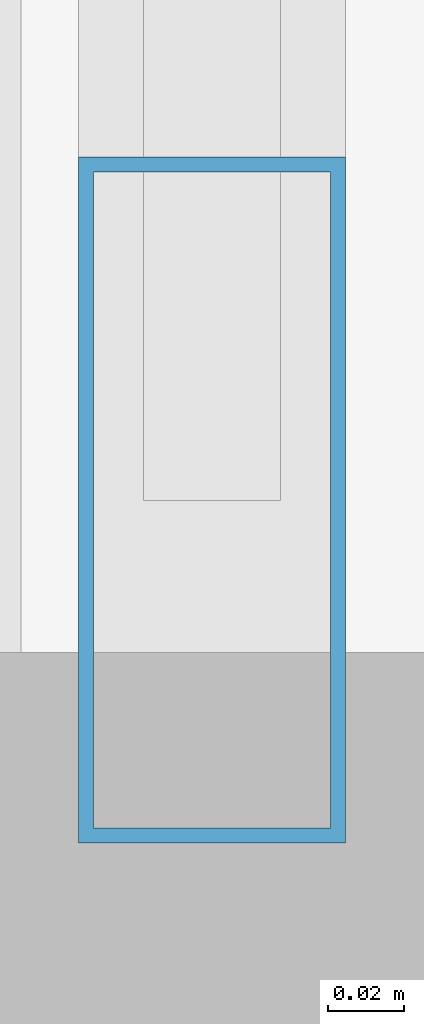
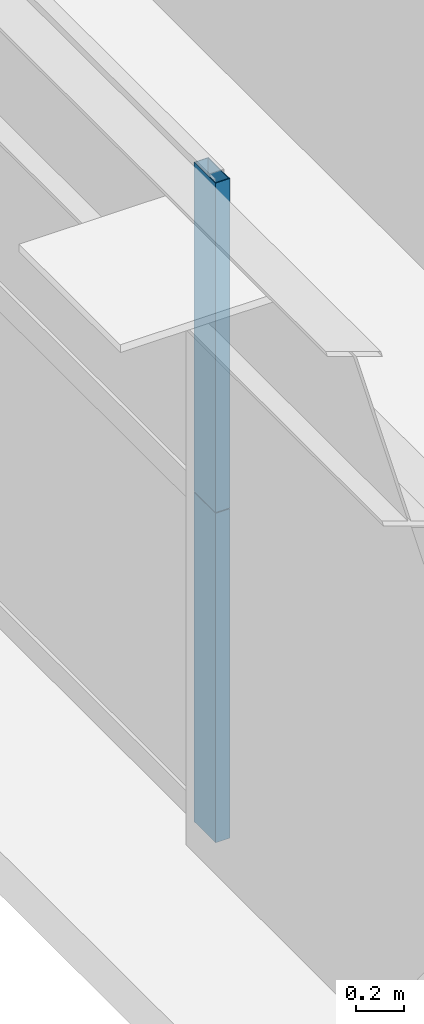
# One storey, part 6 of 45: 2 members, 1 element without a shape of its own.
"""IFC4 building model written with IfcOpenShell, lengths in metres."""

import ifcopenshell
import ifcopenshell.guid

model = None  # the IFC model being written
_history = None  # IfcOwnerHistory: only IFC2X3 demands one
_inside = {}  # id of a spatial element -> (the spatial element, [elements in it])
_under = {}  # id of a project, library or spatial element -> (it, [spatial elements below it])
_declared = {}  # id of a project -> (the project, [libraries it declares])
_typed = {}  # id of a type object -> (the type object, [elements of that type])
_made_of = {}  # id of a material, layer set ... -> (it, [elements and type objects made of it])


def new_model(schema):
    """Start an empty IFC model of exactly this schema.

    Asked for "IFC4X3", IfcOpenShell would pick the latest addendum, in which some entities
    have other attributes; the version numbers below select the first issue.
    IFC2X3 requires an IfcOwnerHistory on every rooted entity: one is made here for all.
    """
    global model, _history
    if schema == "IFC4X3":
        model = ifcopenshell.file(schema_version=(4, 3, 0, 0))
    else:
        model = ifcopenshell.file(schema=schema)
    _inside.clear()
    _under.clear()
    _declared.clear()
    _typed.clear()
    _made_of.clear()
    _history = None
    if model.schema == "IFC2X3":
        org = make("IfcOrganization", Name="unknown")
        user = make(
            "IfcPersonAndOrganization",
            ThePerson=make("IfcPerson", FamilyName="unknown"),
            TheOrganization=org,
        )
        app = make(
            "IfcApplication",
            ApplicationDeveloper=org,
            Version="unknown",
            ApplicationFullName="unknown",
            ApplicationIdentifier="unknown",
        )
        _history = make(
            "IfcOwnerHistory",
            OwningUser=user,
            OwningApplication=app,
            ChangeAction="ADDED",
            CreationDate=0,
        )
    return model


def make(cls, **values):
    """One entity of the class cls with the attributes given. An attribute that is None is left unset."""
    return model.create_entity(
        cls, **{name: value for name, value in values.items() if value is not None}
    )


def rooted(cls, **values):
    """An entity with a GlobalId (a new one), such as an element, a storey or a relation."""
    return make(cls, GlobalId=ifcopenshell.guid.new(), OwnerHistory=_history, **values)


def si_unit(unit_type, name, prefix=None):
    """IfcSIUnit, for example si_unit("LENGTHUNIT", "METRE", prefix="MILLI")."""
    return make("IfcSIUnit", UnitType=unit_type, Prefix=prefix, Name=name)


def assignment(units):
    """IfcUnitAssignment: the units of a project."""
    return None if units is None else make("IfcUnitAssignment", Units=units)


def point(xyz):
    """IfcCartesianPoint."""
    return None if xyz is None else make("IfcCartesianPoint", Coordinates=xyz)


def direction(xyz):
    """IfcDirection."""
    return None if xyz is None else make("IfcDirection", DirectionRatios=xyz)


def frame(location, z_axis=None, x_axis=None):
    """IfcAxis2Placement3D, a coordinate frame: its origin and axes. An axis left out is left unset."""
    return make(
        "IfcAxis2Placement3D",
        Location=point(location),
        Axis=direction(z_axis),
        RefDirection=direction(x_axis),
    )


def frame_2d(location, x_axis=None):
    """IfcAxis2Placement2D, a coordinate frame in the plane: its origin and x axis."""
    return make(
        "IfcAxis2Placement2D", Location=point(location), RefDirection=direction(x_axis)
    )


def origin():
    """The frame at (0, 0, 0) with its axes left unset."""
    return frame((0.0, 0.0, 0.0))


def origin_2d():
    """The frame at (0, 0) in the plane with its x axis left unset."""
    return frame_2d((0.0, 0.0))


def place(relative_to, where):
    """IfcLocalPlacement: puts the frame where relative to a parent placement (None: the world)."""
    return make(
        "IfcLocalPlacement", PlacementRelTo=relative_to, RelativePlacement=where
    )


def context(
    kind, dimensions, precision=None, world=None, true_north=None, identifier=None
):
    """IfcGeometricRepresentationContext, for example the 3D "Model" context."""
    return make(
        "IfcGeometricRepresentationContext",
        ContextIdentifier=identifier,
        ContextType=kind,
        CoordinateSpaceDimension=dimensions,
        Precision=precision,
        WorldCoordinateSystem=world,
        TrueNorth=true_north,
    )


def subcontext(parent, identifier, kind, view, scale=None):
    """IfcGeometricRepresentationSubContext, for example "Body" below "Model"."""
    return make(
        "IfcGeometricRepresentationSubContext",
        ContextIdentifier=identifier,
        ContextType=kind,
        ParentContext=parent,
        TargetScale=scale,
        TargetView=view,
    )


def project(units=None, contexts=None):
    """IfcProject with its units and contexts."""
    return rooted(
        "IfcProject",
        Name="project",
        RepresentationContexts=contexts,
        UnitsInContext=assignment(units),
    )


def spatial(cls, under=None, at=None, **own):
    """A site, building, storey or space (cls), placed at a placement, below another one or the project."""
    s = rooted(cls, ObjectPlacement=at, **own)
    if under is not None:
        _under.setdefault(under.id(), (under, []))[1].append(s)
    return s


def profile(cls, at=None, kind="AREA", **sizes):
    """A parametric profile (cls). Its sizes go by their IFC names, for example OverallWidth=200.0."""
    return make(cls, ProfileType=kind, Position=at, **sizes)


def hollow_rectangle(**sizes):
    """IfcRectangleHollowProfileDef."""
    return profile("IfcRectangleHollowProfileDef", **sizes)


def extrude(swept, where, along, depth):
    """IfcExtrudedAreaSolid: the profile swept, set in the frame where, extruded along a direction by depth."""
    return make(
        "IfcExtrudedAreaSolid",
        SweptArea=swept,
        Position=where,
        ExtrudedDirection=direction(along),
        Depth=depth,
    )


def shape(context_of_items, identifier, shape_type, items):
    """IfcShapeRepresentation: the items that make up one representation, for example the "Body"."""
    return make(
        "IfcShapeRepresentation",
        ContextOfItems=context_of_items,
        RepresentationIdentifier=identifier,
        RepresentationType=shape_type,
        Items=items,
    )


def source(mapping_origin, context_of_items, identifier, shape_type, items):
    """IfcRepresentationMap: a shape defined once, which mapped items show again and again."""
    return make(
        "IfcRepresentationMap",
        MappingOrigin=mapping_origin,
        MappedRepresentation=shape(context_of_items, identifier, shape_type, items),
    )


def transform(
    local_origin,
    x_axis=None,
    y_axis=None,
    z_axis=None,
    scale=None,
    scale2=None,
    scale3=None,
    uniform=True,
):
    """IfcCartesianTransformationOperator3D, or its non-uniform kind. x_axis, y_axis, z_axis: its Axis1, 2, 3."""
    if uniform:
        return make(
            "IfcCartesianTransformationOperator3D",
            Axis1=direction(x_axis),
            Axis2=direction(y_axis),
            LocalOrigin=point(local_origin),
            Scale=scale,
            Axis3=direction(z_axis),
        )
    return make(
        "IfcCartesianTransformationOperator3DnonUniform",
        Axis1=direction(x_axis),
        Axis2=direction(y_axis),
        LocalOrigin=point(local_origin),
        Scale=scale,
        Axis3=direction(z_axis),
        Scale2=scale2,
        Scale3=scale3,
    )


def mapped(mapping_source, mapping_target):
    """IfcMappedItem: shows the shape of a source again, moved by a transform."""
    return make(
        "IfcMappedItem", MappingSource=mapping_source, MappingTarget=mapping_target
    )


def material(Name=None, Category=None):
    """IfcMaterial."""
    return make("IfcMaterial", Name=Name, Category=Category)


def layer(
    of_material, thickness, ventilated=None, Name=None, Category=None, Priority=None
):
    """IfcMaterialLayer: one layer of a wall or slab, of a material (None: an air gap)."""
    return make(
        "IfcMaterialLayer",
        Material=of_material,
        LayerThickness=thickness,
        IsVentilated=ventilated,
        Name=Name,
        Category=Category,
        Priority=Priority,
    )


def layer_set(layers, Name=None):
    """IfcMaterialLayerSet."""
    return make("IfcMaterialLayerSet", MaterialLayers=layers, LayerSetName=Name)


def material_profile(
    of_material, cross_section, Name=None, Category=None, Priority=None
):
    """IfcMaterialProfile: a cross section and its material."""
    return make(
        "IfcMaterialProfile",
        Name=Name,
        Material=of_material,
        Profile=cross_section,
        Priority=Priority,
        Category=Category,
    )


def profile_set(profiles, Name=None, composite=None):
    """IfcMaterialProfileSet."""
    return make(
        "IfcMaterialProfileSet",
        Name=Name,
        MaterialProfiles=profiles,
        CompositeProfile=composite,
    )


def made_of(thing, what):
    """Note that an element or type object is made of a material, layer set ...; save() writes the relation."""
    if what is not None:
        _made_of.setdefault(what.id(), (what, []))[1].append(thing)
    return thing


def type_object(cls, material=None, **own):
    """A type object (cls), such as IfcWallType, which elements share."""
    return made_of(rooted(cls, **own), material)


def element(
    cls,
    number,
    at=None,
    inside=None,
    cuts=None,
    type_object=None,
    material=None,
    context=None,
    identifier="Body",
    shape_type=None,
    held_by="IfcProductDefinitionShape",
    body=None,
    shapes=None,
    **own,
):
    """One element of the class cls, such as IfcWall. Its Tag is "e" and its number.

    at: its placement. inside: the storey or other place that contains it. cuts: it is an
    opening in that element (IfcRelVoidsElement). A single representation is given by context,
    identifier, shape_type and body (its items); several are given by shapes. held_by: the class
    of the entity that holds the representations. save() writes the other relations.
    """
    e = rooted(cls, Tag="e%d" % number, ObjectPlacement=at, **own)
    if body is not None:
        shapes = [shape(context, identifier, shape_type, body)]
    if shapes is not None:
        e.Representation = make(held_by, Representations=shapes)
    if inside is not None:
        _inside.setdefault(inside.id(), (inside, []))[1].append(e)
    if cuts is not None:
        rooted(
            "IfcRelVoidsElement", RelatingBuildingElement=cuts, RelatedOpeningElement=e
        )
    if type_object is not None:
        _typed.setdefault(type_object.id(), (type_object, []))[1].append(e)
    return made_of(e, material)


def aggregate(whole, parts):
    """IfcRelAggregates: a whole, such as a stair, and the parts it consists of."""
    return rooted("IfcRelAggregates", RelatingObject=whole, RelatedObjects=parts)


def save(model, path):
    """Write the relations noted so far, then the file.

    IfcRelAggregates (storeys below a building ...), IfcRelContainedInSpatialStructure (elements
    in a storey), IfcRelDefinesByType, IfcRelAssociatesMaterial and IfcRelDeclares: one each for
    every whole, place, type object, material and project.
    """
    for whole, parts in _under.values():
        aggregate(whole, parts)
    for where, things in _inside.values():
        rooted(
            "IfcRelContainedInSpatialStructure",
            RelatedElements=things,
            RelatingStructure=where,
        )
    for kind, things in _typed.values():
        rooted("IfcRelDefinesByType", RelatedObjects=things, RelatingType=kind)
    for what, things in _made_of.values():
        rooted("IfcRelAssociatesMaterial", RelatedObjects=things, RelatingMaterial=what)
    for by, libraries in _declared.values():
        rooted("IfcRelDeclares", RelatingContext=by, RelatedDefinitions=libraries)
    model.write(path)


model = new_model("IFC4")

# Units and contexts
model_context = context("Model", 3, precision=1e-05, world=origin(), true_north=direction((0.0, 1.0)))
body_context = subcontext(model_context, "Body", "Model", "MODEL_VIEW")
ifc_project = project(units=[si_unit("LENGTHUNIT", "METRE"), si_unit("AREAUNIT", "SQUARE_METRE"), si_unit("VOLUMEUNIT", "CUBIC_METRE"), si_unit("PLANEANGLEUNIT", "RADIAN"), si_unit("MASSUNIT", "GRAM", prefix="KILO"), si_unit("THERMODYNAMICTEMPERATUREUNIT", "KELVIN"), si_unit("POWERUNIT", "WATT")], contexts=[model_context])

# Site, building, storey
site_placement = place(None, origin())
site = spatial("IfcSite", under=ifc_project, at=site_placement, CompositionType="ELEMENT")
building_placement = place(site_placement, origin())
building = spatial("IfcBuilding", under=site, at=building_placement, Name="Yuzanri Waterfront Tower", CompositionType="ELEMENT")
storey_placement = place(building_placement, frame((0.0, 0.0, 49.60009765625)))
storey = spatial("IfcBuildingStorey", under=building, at=storey_placement, Name="L12", CompositionType="ELEMENT", Elevation=49.60009765625)

# Curtain wall, members
ifc_material_1 = material(Name="Anodized Architectural Bronze", Category="metal")
ifc_layer = layer(ifc_material_1, 0.159912109375)
ifc_layer_set = layer_set([ifc_layer], Name="Anodized Architectural Bronze")
curtain_wall_type = type_object("IfcCurtainWallType", Name="Anodized Bronze Hotel Lower-Tier Recessed Unitized Curtain Wall 8100", PredefinedType="NOTDEFINED", material=ifc_layer_set)
curtain_wall_placement = place(storey_placement, origin())
curtain_wall = element("IfcCurtainWall", 1, at=curtain_wall_placement, inside=storey, type_object=curtain_wall_type, Name="L12 Curtain Wall CW-L12-WL", PredefinedType="NOTDEFINED")
ifc_material_2 = material(Name="Anodized Architectural Bronze", Category="metal")
ifc_material_profile = material_profile(ifc_material_2, hollow_rectangle(XDim=0.070068359375, YDim=0.179931640625, WallThickness=0.00390625, at=origin_2d()), Name="CWM 70x180")
ifc_profile_set = profile_set([ifc_material_profile], Name="Anodized Architectural Bronze")
member_type = type_object("IfcMemberType", Name="Anodized Bronze Standard Curtain-Wall Mullion 70x180", PredefinedType="MULLION", material=ifc_profile_set)
shared_shape = source(origin(), body_context, "Body", "SweptSolid", [
    extrude(hollow_rectangle(XDim=0.070068359375, YDim=0.179931640625, WallThickness=0.00390625, at=origin_2d()), origin(), (0.0, 0.0, 1.0), 1.68798828125),
])
member_1_placement = place(storey_placement, frame((12.050048828125, 8.090087890625, 0.0), z_axis=(0.0, 0.0, 1.0), x_axis=(1.0, 0.0, 0.0)))
member_1 = element("IfcMember", 2, at=member_1_placement, type_object=member_type, Name="CW-L12-WL Lower Mullion 00", PredefinedType="MULLION", context=body_context, shape_type="MappedRepresentation", body=[
    mapped(shared_shape, transform((0.0, 0.0, 0.0), scale=1.0)),
])
member_2_placement = place(storey_placement, frame((12.050048828125, 8.090087890625, 1.69189453125), z_axis=(0.0, 0.0, 1.0), x_axis=(1.0, 0.0, 0.0)))
member_2 = element("IfcMember", 3, at=member_2_placement, type_object=member_type, Name="CW-L12-WL Upper Mullion 00", PredefinedType="MULLION", context=body_context, shape_type="MappedRepresentation", body=[
    mapped(shared_shape, transform((0.0, 0.0, 0.0), scale=1.0)),
])
aggregate(curtain_wall, [member_1, member_2])

save(model, "model.ifc")
